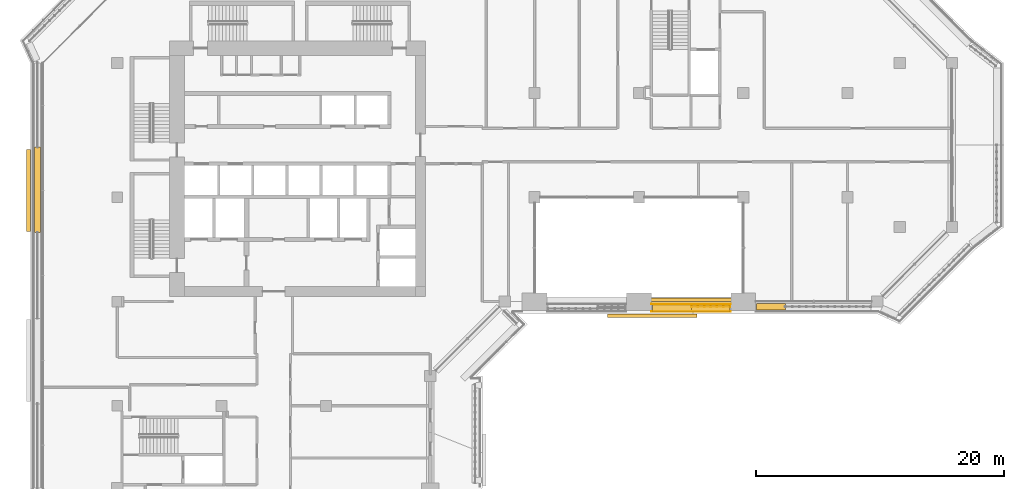
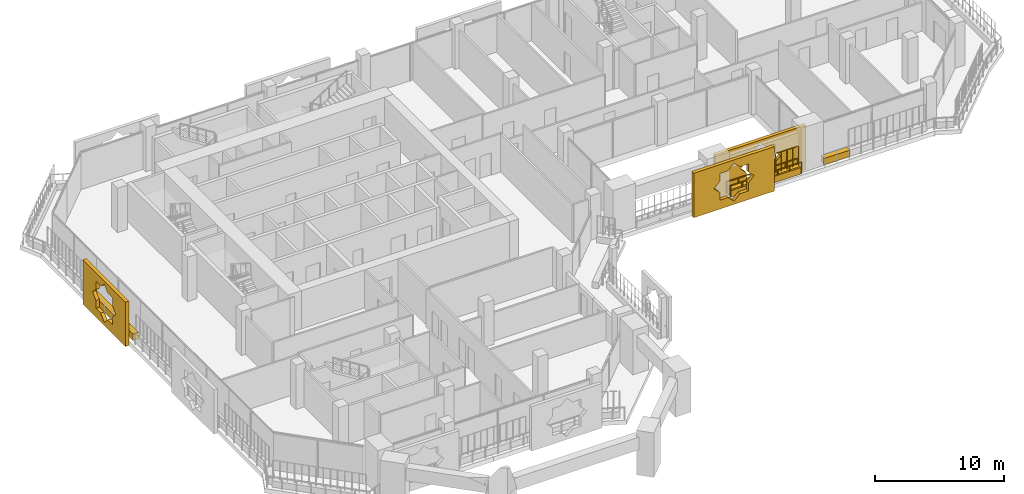
# One storey, part 20 of 23: 8 coverings, 3 railings.
"""IFC4 building model written with IfcOpenShell, lengths in metres."""

import ifcopenshell
import ifcopenshell.guid

model = None  # the IFC model being written
_history = None  # IfcOwnerHistory: only IFC2X3 demands one
_inside = {}  # id of a spatial element -> (the spatial element, [elements in it])
_under = {}  # id of a project, library or spatial element -> (it, [spatial elements below it])
_declared = {}  # id of a project -> (the project, [libraries it declares])
_typed = {}  # id of a type object -> (the type object, [elements of that type])
_made_of = {}  # id of a material, layer set ... -> (it, [elements and type objects made of it])


def new_model(schema):
    """Start an empty IFC model of exactly this schema.

    Asked for "IFC4X3", IfcOpenShell would pick the latest addendum, in which some entities
    have other attributes; the version numbers below select the first issue.
    IFC2X3 requires an IfcOwnerHistory on every rooted entity: one is made here for all.
    """
    global model, _history
    if schema == "IFC4X3":
        model = ifcopenshell.file(schema_version=(4, 3, 0, 0))
    else:
        model = ifcopenshell.file(schema=schema)
    _inside.clear()
    _under.clear()
    _declared.clear()
    _typed.clear()
    _made_of.clear()
    _history = None
    if model.schema == "IFC2X3":
        org = make("IfcOrganization", Name="unknown")
        user = make(
            "IfcPersonAndOrganization",
            ThePerson=make("IfcPerson", FamilyName="unknown"),
            TheOrganization=org,
        )
        app = make(
            "IfcApplication",
            ApplicationDeveloper=org,
            Version="unknown",
            ApplicationFullName="unknown",
            ApplicationIdentifier="unknown",
        )
        _history = make(
            "IfcOwnerHistory",
            OwningUser=user,
            OwningApplication=app,
            ChangeAction="ADDED",
            CreationDate=0,
        )
    return model


def make(cls, **values):
    """One entity of the class cls with the attributes given. An attribute that is None is left unset."""
    return model.create_entity(
        cls, **{name: value for name, value in values.items() if value is not None}
    )


def rooted(cls, **values):
    """An entity with a GlobalId (a new one), such as an element, a storey or a relation."""
    return make(cls, GlobalId=ifcopenshell.guid.new(), OwnerHistory=_history, **values)


def si_unit(unit_type, name, prefix=None):
    """IfcSIUnit, for example si_unit("LENGTHUNIT", "METRE", prefix="MILLI")."""
    return make("IfcSIUnit", UnitType=unit_type, Prefix=prefix, Name=name)


def assignment(units):
    """IfcUnitAssignment: the units of a project."""
    return None if units is None else make("IfcUnitAssignment", Units=units)


def point(xyz):
    """IfcCartesianPoint."""
    return None if xyz is None else make("IfcCartesianPoint", Coordinates=xyz)


def direction(xyz):
    """IfcDirection."""
    return None if xyz is None else make("IfcDirection", DirectionRatios=xyz)


def frame(location, z_axis=None, x_axis=None):
    """IfcAxis2Placement3D, a coordinate frame: its origin and axes. An axis left out is left unset."""
    return make(
        "IfcAxis2Placement3D",
        Location=point(location),
        Axis=direction(z_axis),
        RefDirection=direction(x_axis),
    )


def frame_2d(location, x_axis=None):
    """IfcAxis2Placement2D, a coordinate frame in the plane: its origin and x axis."""
    return make(
        "IfcAxis2Placement2D", Location=point(location), RefDirection=direction(x_axis)
    )


def origin():
    """The frame at (0, 0, 0) with its axes left unset."""
    return frame((0.0, 0.0, 0.0))


def origin_2d():
    """The frame at (0, 0) in the plane with its x axis left unset."""
    return frame_2d((0.0, 0.0))


def place(relative_to, where):
    """IfcLocalPlacement: puts the frame where relative to a parent placement (None: the world)."""
    return make(
        "IfcLocalPlacement", PlacementRelTo=relative_to, RelativePlacement=where
    )


def context(
    kind, dimensions, precision=None, world=None, true_north=None, identifier=None
):
    """IfcGeometricRepresentationContext, for example the 3D "Model" context."""
    return make(
        "IfcGeometricRepresentationContext",
        ContextIdentifier=identifier,
        ContextType=kind,
        CoordinateSpaceDimension=dimensions,
        Precision=precision,
        WorldCoordinateSystem=world,
        TrueNorth=true_north,
    )


def subcontext(parent, identifier, kind, view, scale=None):
    """IfcGeometricRepresentationSubContext, for example "Body" below "Model"."""
    return make(
        "IfcGeometricRepresentationSubContext",
        ContextIdentifier=identifier,
        ContextType=kind,
        ParentContext=parent,
        TargetScale=scale,
        TargetView=view,
    )


def project(units=None, contexts=None):
    """IfcProject with its units and contexts."""
    return rooted(
        "IfcProject",
        Name="project",
        RepresentationContexts=contexts,
        UnitsInContext=assignment(units),
    )


def spatial(cls, under=None, at=None, **own):
    """A site, building, storey or space (cls), placed at a placement, below another one or the project."""
    s = rooted(cls, ObjectPlacement=at, **own)
    if under is not None:
        _under.setdefault(under.id(), (under, []))[1].append(s)
    return s


def polyline(points):
    """IfcPolyline through the points."""
    return make("IfcPolyline", Points=[point(p) for p in points])


def profile(cls, at=None, kind="AREA", **sizes):
    """A parametric profile (cls). Its sizes go by their IFC names, for example OverallWidth=200.0."""
    return make(cls, ProfileType=kind, Position=at, **sizes)


def rectangle(**sizes):
    """IfcRectangleProfileDef."""
    return profile("IfcRectangleProfileDef", **sizes)


def circle(**sizes):
    """IfcCircleProfileDef."""
    return profile("IfcCircleProfileDef", **sizes)


def outline(outer, holes=None, kind="AREA"):
    """IfcArbitraryClosedProfileDef: a profile drawn as a closed curve; with holes, ...WithVoids."""
    if holes is None:
        return make("IfcArbitraryClosedProfileDef", ProfileType=kind, OuterCurve=outer)
    return make(
        "IfcArbitraryProfileDefWithVoids",
        ProfileType=kind,
        OuterCurve=outer,
        InnerCurves=holes,
    )


def extrude(swept, where, along, depth):
    """IfcExtrudedAreaSolid: the profile swept, set in the frame where, extruded along a direction by depth."""
    return make(
        "IfcExtrudedAreaSolid",
        SweptArea=swept,
        Position=where,
        ExtrudedDirection=direction(along),
        Depth=depth,
    )


def shape(context_of_items, identifier, shape_type, items):
    """IfcShapeRepresentation: the items that make up one representation, for example the "Body"."""
    return make(
        "IfcShapeRepresentation",
        ContextOfItems=context_of_items,
        RepresentationIdentifier=identifier,
        RepresentationType=shape_type,
        Items=items,
    )


def material(Name=None, Category=None):
    """IfcMaterial."""
    return make("IfcMaterial", Name=Name, Category=Category)


def material_profile(
    of_material, cross_section, Name=None, Category=None, Priority=None
):
    """IfcMaterialProfile: a cross section and its material."""
    return make(
        "IfcMaterialProfile",
        Name=Name,
        Material=of_material,
        Profile=cross_section,
        Priority=Priority,
        Category=Category,
    )


def profile_set(profiles, Name=None, composite=None):
    """IfcMaterialProfileSet."""
    return make(
        "IfcMaterialProfileSet",
        Name=Name,
        MaterialProfiles=profiles,
        CompositeProfile=composite,
    )


def made_of(thing, what):
    """Note that an element or type object is made of a material, layer set ...; save() writes the relation."""
    if what is not None:
        _made_of.setdefault(what.id(), (what, []))[1].append(thing)
    return thing


def type_object(cls, material=None, **own):
    """A type object (cls), such as IfcWallType, which elements share."""
    return made_of(rooted(cls, **own), material)


def element(
    cls,
    number,
    at=None,
    inside=None,
    cuts=None,
    type_object=None,
    material=None,
    context=None,
    identifier="Body",
    shape_type=None,
    held_by="IfcProductDefinitionShape",
    body=None,
    shapes=None,
    **own,
):
    """One element of the class cls, such as IfcWall. Its Tag is "e" and its number.

    at: its placement. inside: the storey or other place that contains it. cuts: it is an
    opening in that element (IfcRelVoidsElement). A single representation is given by context,
    identifier, shape_type and body (its items); several are given by shapes. held_by: the class
    of the entity that holds the representations. save() writes the other relations.
    """
    e = rooted(cls, Tag="e%d" % number, ObjectPlacement=at, **own)
    if body is not None:
        shapes = [shape(context, identifier, shape_type, body)]
    if shapes is not None:
        e.Representation = make(held_by, Representations=shapes)
    if inside is not None:
        _inside.setdefault(inside.id(), (inside, []))[1].append(e)
    if cuts is not None:
        rooted(
            "IfcRelVoidsElement", RelatingBuildingElement=cuts, RelatedOpeningElement=e
        )
    if type_object is not None:
        _typed.setdefault(type_object.id(), (type_object, []))[1].append(e)
    return made_of(e, material)


def aggregate(whole, parts):
    """IfcRelAggregates: a whole, such as a stair, and the parts it consists of."""
    return rooted("IfcRelAggregates", RelatingObject=whole, RelatedObjects=parts)


def save(model, path):
    """Write the relations noted so far, then the file.

    IfcRelAggregates (storeys below a building ...), IfcRelContainedInSpatialStructure (elements
    in a storey), IfcRelDefinesByType, IfcRelAssociatesMaterial and IfcRelDeclares: one each for
    every whole, place, type object, material and project.
    """
    for whole, parts in _under.values():
        aggregate(whole, parts)
    for where, things in _inside.values():
        rooted(
            "IfcRelContainedInSpatialStructure",
            RelatedElements=things,
            RelatingStructure=where,
        )
    for kind, things in _typed.values():
        rooted("IfcRelDefinesByType", RelatedObjects=things, RelatingType=kind)
    for what, things in _made_of.values():
        rooted("IfcRelAssociatesMaterial", RelatedObjects=things, RelatingMaterial=what)
    for by, libraries in _declared.values():
        rooted("IfcRelDeclares", RelatingContext=by, RelatedDefinitions=libraries)
    model.write(path)


model = new_model("IFC4")

# Units and contexts
model_context = context("Model", 3, precision=1e-05, world=origin(), true_north=direction((0.0, 1.0)))
body_context = subcontext(model_context, "Body", "Model", "MODEL_VIEW")
ifc_project = project(units=[si_unit("LENGTHUNIT", "METRE"), si_unit("AREAUNIT", "SQUARE_METRE"), si_unit("VOLUMEUNIT", "CUBIC_METRE"), si_unit("PLANEANGLEUNIT", "RADIAN"), si_unit("MASSUNIT", "GRAM", prefix="KILO")], contexts=[model_context])

# Site, building, storey
site_placement = place(None, origin())
site = spatial("IfcSite", under=ifc_project, at=site_placement, CompositionType="ELEMENT")
building_placement = place(site_placement, origin())
building = spatial("IfcBuilding", under=site, at=building_placement, Name="Kawkab Arch Medical Tower", CompositionType="ELEMENT")
storey_placement = place(building_placement, frame((0.0, 0.0, 226.39990234375)))
storey = spatial("IfcBuildingStorey", under=building, at=storey_placement, Name="L52", CompositionType="ELEMENT", Elevation=226.39990234375)

# Railings
ifc_material_1 = material(Name="Bronze anodised aluminium guard", Category="aluminium")
railing_type_1 = type_object("IfcRailingType", Name="Loggia and terrace guard 1100", PredefinedType="GUARDRAIL", material=ifc_material_1)
railing_1_placement = place(storey_placement, frame((43.030029296875, -25.39990234375, 0.0)))
element("IfcRailing", 1, at=railing_1_placement, inside=storey, type_object=railing_type_1, Name="Guard L52.LOG-01.1.2", PredefinedType="GUARDRAIL", context=body_context, shape_type="SweptSolid", body=[
    extrude(circle(Radius=0.02392578125, at=origin_2d()), frame((0.0, 0.0, 1.076171875), z_axis=(1.0, 0.0, 0.0), x_axis=(0.0, 1.0, 0.0)), (0.0, 0.0, 1.0), 6.340087890625),
    extrude(circle(Radius=0.02099609375, at=origin_2d()), origin(), (0.0, 0.0, 1.0), 1.052001953125),
    extrude(circle(Radius=0.02099609375, at=origin_2d()), frame((1.056640625, 0.0, 0.0)), (0.0, 0.0, 1.0), 1.052001953125),
    extrude(circle(Radius=0.02099609375, at=origin_2d()), frame((2.11328125, 0.0, 0.0)), (0.0, 0.0, 1.0), 1.052001953125),
    extrude(circle(Radius=0.02099609375, at=origin_2d()), frame((3.169921875, 0.0, 0.0)), (0.0, 0.0, 1.0), 1.052001953125),
    extrude(circle(Radius=0.02099609375, at=origin_2d()), frame((4.226806640625, 0.0, 0.0)), (0.0, 0.0, 1.0), 1.052001953125),
    extrude(circle(Radius=0.02099609375, at=origin_2d()), frame((5.283447265625, 0.0, 0.0)), (0.0, 0.0, 1.0), 1.052001953125),
    extrude(circle(Radius=0.02099609375, at=origin_2d()), frame((6.340087890625, 0.0, 0.0)), (0.0, 0.0, 1.0), 1.052001953125),
])
railing_2_placement = place(storey_placement, frame((49.3701171875, -26.0, 0.0)))
element("IfcRailing", 2, at=railing_2_placement, inside=storey, type_object=railing_type_1, Name="Guard L52.LOG-01.2.3", PredefinedType="GUARDRAIL", context=body_context, shape_type="SweptSolid", body=[
    extrude(circle(Radius=0.02392578125, at=origin_2d()), frame((0.0, 0.0, 1.076171875), z_axis=(-1.0, 0.0, 0.0), x_axis=(0.0, -1.0, 0.0)), (0.0, 0.0, 1.0), 6.340087890625),
    extrude(circle(Radius=0.02099609375, at=origin_2d()), origin(), (0.0, 0.0, 1.0), 1.052001953125),
    extrude(circle(Radius=0.02099609375, at=origin_2d()), frame((-1.056640625, 0.0, 0.0)), (0.0, 0.0, 1.0), 1.052001953125),
    extrude(circle(Radius=0.02099609375, at=origin_2d()), frame((-2.11328125, 0.0, 0.0)), (0.0, 0.0, 1.0), 1.052001953125),
    extrude(circle(Radius=0.02099609375, at=origin_2d()), frame((-3.169921875, 0.0, 0.0)), (0.0, 0.0, 1.0), 1.052001953125),
    extrude(circle(Radius=0.02099609375, at=origin_2d()), frame((-4.226806640625, 0.0, 0.0)), (0.0, 0.0, 1.0), 1.052001953125),
    extrude(circle(Radius=0.02099609375, at=origin_2d()), frame((-5.283447265625, 0.0, 0.0)), (0.0, 0.0, 1.0), 1.052001953125),
    extrude(circle(Radius=0.02099609375, at=origin_2d()), frame((-6.340087890625, 0.0, 0.0)), (0.0, 0.0, 1.0), 1.052001953125),
])

# Coverings
ifc_material_2 = material(Name="Bronze anodised aluminium mashrabiya panel, eight-point star pattern", Category="aluminium")
ifc_material_profile_1 = material_profile(ifc_material_2, outline(polyline([(-3.300048828125, -2.10009765625), (3.300048828125, -2.10009765625), (3.300048828125, 2.10009765625), (-3.300048828125, 2.10009765625), (-3.300048828125, -2.10009765625)]), holes=[polyline([(1.800048828125, 0.0), (1.272705078125, 0.527099609375), (1.272705078125, 1.272705078125), (0.527099609375, 1.272705078125), (0.0, 1.800048828125), (-0.527099609375, 1.272705078125), (-1.272705078125, 1.272705078125), (-1.272705078125, 0.527099609375), (-1.800048828125, 0.0), (-1.272705078125, -0.527099609375), (-1.272705078125, -1.272705078125), (-0.527099609375, -1.272705078125), (0.0, -1.800048828125), (0.527099609375, -1.272705078125), (1.272705078125, -1.272705078125), (1.272705078125, -0.527099609375), (1.800048828125, 0.0)])]), Name="Mashrabiya panel 6600x4200")
ifc_profile_set_1 = profile_set([ifc_material_profile_1], Name="Bronze anodised aluminium mashrabiya panel, eight-point star pattern")
covering_type_1 = type_object("IfcCoveringType", Name="Mashrabiya panel 6600 x 4200", PredefinedType="USERDEFINED", material=ifc_profile_set_1)
covering_1_placement = place(storey_placement, frame((-7.0, -16.259033203125, 1.7001953125), z_axis=(-1.0, 0.0, 0.0), x_axis=(0.0, -1.0, 0.0)))
element("IfcCovering", 3, at=covering_1_placement, inside=storey, type_object=covering_type_1, Name="Mashrabiya panel L52.LOG-01-02.4", ObjectType="SCREEN", PredefinedType="USERDEFINED", context=body_context, shape_type="SweptSolid", body=[
    extrude(outline(polyline([(-3.300048828125, -2.10009765625), (3.300048828125, -2.10009765625), (3.300048828125, 2.10009765625), (-3.300048828125, 2.10009765625), (-3.300048828125, -2.10009765625)]), holes=[polyline([(1.800048828125, 0.0), (1.272705078125, 0.527099609375), (1.272705078125, 1.272705078125), (0.527099609375, 1.272705078125), (0.0, 1.800048828125), (-0.527099609375, 1.272705078125), (-1.272705078125, 1.272705078125), (-1.272705078125, 0.527099609375), (-1.800048828125, 0.0), (-1.272705078125, -0.527099609375), (-1.272705078125, -1.272705078125), (-0.527099609375, -1.272705078125), (0.0, -1.800048828125), (0.527099609375, -1.272705078125), (1.272705078125, -1.272705078125), (1.272705078125, -0.527099609375), (1.800048828125, 0.0)])]), origin(), (0.0, 0.0, 1.0), 0.300048828125),
])
ifc_material_3 = material(Name="Bronze anodised aluminium mashrabiya panel, eight-point star pattern", Category="aluminium")
ifc_material_profile_2 = material_profile(ifc_material_3, outline(polyline([(-3.60009765625, -2.10009765625), (3.60009765625, -2.10009765625), (3.60009765625, 2.10009765625), (-3.60009765625, 2.10009765625), (-3.60009765625, -2.10009765625)]), holes=[polyline([(1.800048828125, 0.0), (1.272705078125, 0.527099609375), (1.272705078125, 1.272705078125), (0.527099609375, 1.272705078125), (0.0, 1.800048828125), (-0.527099609375, 1.272705078125), (-1.272705078125, 1.272705078125), (-1.272705078125, 0.527099609375), (-1.800048828125, 0.0), (-1.272705078125, -0.527099609375), (-1.272705078125, -1.272705078125), (-0.527099609375, -1.272705078125), (0.0, -1.800048828125), (0.527099609375, -1.272705078125), (1.272705078125, -1.272705078125), (1.272705078125, -0.527099609375), (1.800048828125, 0.0)])]), Name="Mashrabiya panel 7200x4200")
ifc_profile_set_2 = profile_set([ifc_material_profile_2], Name="Bronze anodised aluminium mashrabiya panel, eight-point star pattern")
covering_type_2 = type_object("IfcCoveringType", Name="Mashrabiya panel 7200 x 4200", PredefinedType="USERDEFINED", material=ifc_profile_set_2)
covering_2_placement = place(storey_placement, frame((43.06494140625, -26.199951171875, 1.7001953125), z_axis=(0.0, -1.0, 0.0), x_axis=(1.0, 0.0, 0.0)))
element("IfcCovering", 4, at=covering_2_placement, inside=storey, type_object=covering_type_2, Name="Mashrabiya panel L52.LOG-01-02.9", ObjectType="SCREEN", PredefinedType="USERDEFINED", context=body_context, shape_type="SweptSolid", body=[
    extrude(outline(polyline([(-3.60009765625, -2.10009765625), (3.60009765625, -2.10009765625), (3.60009765625, 2.10009765625), (-3.60009765625, 2.10009765625), (-3.60009765625, -2.10009765625)]), holes=[polyline([(1.800048828125, 0.0), (1.272705078125, 0.527099609375), (1.272705078125, 1.272705078125), (0.527099609375, 1.272705078125), (0.0, 1.800048828125), (-0.527099609375, 1.272705078125), (-1.272705078125, 1.272705078125), (-1.272705078125, 0.527099609375), (-1.800048828125, 0.0), (-1.272705078125, -0.527099609375), (-1.272705078125, -1.272705078125), (-0.527099609375, -1.272705078125), (0.0, -1.800048828125), (0.527099609375, -1.272705078125), (1.272705078125, -1.272705078125), (1.272705078125, -0.527099609375), (1.800048828125, 0.0)])]), origin(), (0.0, 0.0, 1.0), 0.300048828125),
])
ifc_material_4 = material(Name="Bronze anodised aluminium mashrabiya panel, eight-point star pattern", Category="aluminium")
ifc_material_profile_3 = material_profile(ifc_material_4, outline(polyline([(-4.050048828125, -2.10009765625), (4.050048828125, -2.10009765625), (4.050048828125, 2.10009765625), (-4.050048828125, 2.10009765625), (-4.050048828125, -2.10009765625)]), holes=[polyline([(1.800048828125, 0.0), (1.272705078125, 0.527099609375), (1.272705078125, 1.272705078125), (0.527099609375, 1.272705078125), (0.0, 1.800048828125), (-0.527099609375, 1.272705078125), (-1.272705078125, 1.272705078125), (-1.272705078125, 0.527099609375), (-1.800048828125, 0.0), (-1.272705078125, -0.527099609375), (-1.272705078125, -1.272705078125), (-0.527099609375, -1.272705078125), (0.0, -1.800048828125), (0.527099609375, -1.272705078125), (1.272705078125, -1.272705078125), (1.272705078125, -0.527099609375), (1.800048828125, 0.0)])]), Name="Mashrabiya panel 8100x4200")
ifc_profile_set_3 = profile_set([ifc_material_profile_3], Name="Bronze anodised aluminium mashrabiya panel, eight-point star pattern")
covering_type_3 = type_object("IfcCoveringType", Name="Mashrabiya panel 8100 x 4200", PredefinedType="USERDEFINED", material=ifc_profile_set_3)
covering_3_placement = place(storey_placement, frame((46.18505859375, -25.199951171875, 1.7001953125), z_axis=(0.0, 1.0, 0.0), x_axis=(-1.0, 0.0, 0.0)))
element("IfcCovering", 5, at=covering_3_placement, inside=storey, type_object=covering_type_3, Name="Mashrabiya panel L52.LOG-01-01.1", ObjectType="SCREEN", PredefinedType="USERDEFINED", context=body_context, shape_type="SweptSolid", body=[
    extrude(outline(polyline([(-4.050048828125, -2.10009765625), (4.050048828125, -2.10009765625), (4.050048828125, 2.10009765625), (-4.050048828125, 2.10009765625), (-4.050048828125, -2.10009765625)]), holes=[polyline([(1.800048828125, 0.0), (1.272705078125, 0.527099609375), (1.272705078125, 1.272705078125), (0.527099609375, 1.272705078125), (0.0, 1.800048828125), (-0.527099609375, 1.272705078125), (-1.272705078125, 1.272705078125), (-1.272705078125, 0.527099609375), (-1.800048828125, 0.0), (-1.272705078125, -0.527099609375), (-1.272705078125, -1.272705078125), (-0.527099609375, -1.272705078125), (0.0, -1.800048828125), (0.527099609375, -1.272705078125), (1.272705078125, -1.272705078125), (1.272705078125, -0.527099609375), (1.800048828125, 0.0)])]), origin(), (0.0, 0.0, 1.0), 0.300048828125),
])
ifc_material_5 = material(Name="Planting soil in a precast trough", Category="concrete")
ifc_material_profile_4 = material_profile(ifc_material_5, rectangle(XDim=0.5, YDim=0.60009765625, at=origin_2d()), Name="Trough 500x600")
ifc_profile_set_4 = profile_set([ifc_material_profile_4], Name="Planting soil in a precast trough")
covering_type_4 = type_object("IfcCoveringType", Name="Planter trough 500 x 600", PredefinedType="USERDEFINED", material=ifc_profile_set_4)
covering_4_placement = place(storey_placement, frame((43.080078125, -25.780029296875, 0.300048828125), z_axis=(1.0, 0.0, 0.0), x_axis=(0.0, 1.0, 0.0)))
element("IfcCovering", 6, at=covering_4_placement, inside=storey, type_object=covering_type_4, Name="Planter L52.LOG-01-01.2", ObjectType="PLANTER", PredefinedType="USERDEFINED", context=body_context, shape_type="SweptSolid", body=[
    extrude(rectangle(XDim=0.5, YDim=0.60009765625, at=origin_2d()), origin(), (0.0, 0.0, 1.0), 6.239990234375),
])
covering_5_placement = place(storey_placement, frame((-6.419921875, -19.655029296875, 0.300048828125), z_axis=(0.0, 1.0, 0.0), x_axis=(-1.0, 0.0, 0.0)))
element("IfcCovering", 7, at=covering_5_placement, inside=storey, type_object=covering_type_4, Name="Planter L52.LOG-01-02.10", ObjectType="PLANTER", PredefinedType="USERDEFINED", context=body_context, shape_type="SweptSolid", body=[
    extrude(rectangle(XDim=0.5, YDim=0.60009765625, at=origin_2d()), origin(), (0.0, 0.0, 1.0), 6.89111328125),
])
covering_6_placement = place(storey_placement, frame((53.791015625, -25.6201171875, 0.300048828125), z_axis=(-1.0, 0.0, 0.0), x_axis=(0.0, -1.0, 0.0)))
element("IfcCovering", 8, at=covering_6_placement, inside=storey, type_object=covering_type_4, Name="Planter L52.LOG-01-02.38", ObjectType="PLANTER", PredefinedType="USERDEFINED", context=body_context, shape_type="SweptSolid", body=[
    extrude(rectangle(XDim=0.5, YDim=0.60009765625, at=origin_2d()), origin(), (0.0, 0.0, 1.0), 2.31103515625),
])
covering_7_placement = place(storey_placement, frame((49.320068359375, -25.6201171875, 0.300048828125), z_axis=(-1.0, 0.0, 0.0), x_axis=(0.0, -1.0, 0.0)))
element("IfcCovering", 9, at=covering_7_placement, inside=storey, type_object=covering_type_4, Name="Planter L52.LOG-01-02.39", ObjectType="PLANTER", PredefinedType="USERDEFINED", context=body_context, shape_type="SweptSolid", body=[
    extrude(rectangle(XDim=0.5, YDim=0.60009765625, at=origin_2d()), origin(), (0.0, 0.0, 1.0), 3.065185546875),
])
covering_8_placement = place(storey_placement, frame((46.2548828125, -25.6201171875, 0.300048828125), z_axis=(-1.0, 0.0, 0.0), x_axis=(0.0, -1.0, 0.0)))
element("IfcCovering", 10, at=covering_8_placement, inside=storey, type_object=covering_type_4, Name="Planter L52.LOG-01-02.40", ObjectType="PLANTER", PredefinedType="USERDEFINED", context=body_context, shape_type="SweptSolid", body=[
    extrude(rectangle(XDim=0.5, YDim=0.60009765625, at=origin_2d()), origin(), (0.0, 0.0, 1.0), 3.1748046875),
])

# Railing
ifc_material_6 = material(Name="Bronze anodised aluminium trellis for climbing plants", Category="aluminium")
railing_type_2 = type_object("IfcRailingType", Name="Planting trellis 2400", PredefinedType="USERDEFINED", material=ifc_material_6)
railing_3_placement = place(storey_placement, frame((49.320068359375, -25.6201171875, 0.0)))
element("IfcRailing", 11, at=railing_3_placement, inside=storey, type_object=railing_type_2, Name="Planting trellis L52.LOG-01-02.39", ObjectType="TRELLIS", PredefinedType="USERDEFINED", context=body_context, shape_type="SweptSolid", body=[
    extrude(circle(Radius=0.01513671875, at=origin_2d()), frame((0.0, 0.0, 2.384765625), z_axis=(-1.0, 0.0, 0.0), x_axis=(0.0, -1.0, 0.0)), (0.0, 0.0, 1.0), 3.065185546875),
    extrude(circle(Radius=0.030029296875, at=origin_2d()), origin(), (0.0, 0.0, 1.0), 2.369873046875),
    extrude(circle(Radius=0.030029296875, at=origin_2d()), frame((-0.5107421875, 0.0, 0.0)), (0.0, 0.0, 1.0), 2.369873046875),
    extrude(circle(Radius=0.030029296875, at=origin_2d()), frame((-1.021728515625, 0.0, 0.0)), (0.0, 0.0, 1.0), 2.369873046875),
    extrude(circle(Radius=0.030029296875, at=origin_2d()), frame((-1.53271484375, 0.0, 0.0)), (0.0, 0.0, 1.0), 2.369873046875),
    extrude(circle(Radius=0.030029296875, at=origin_2d()), frame((-2.04345703125, 0.0, 0.0)), (0.0, 0.0, 1.0), 2.369873046875),
    extrude(circle(Radius=0.030029296875, at=origin_2d()), frame((-2.55419921875, 0.0, 0.0)), (0.0, 0.0, 1.0), 2.369873046875),
    extrude(circle(Radius=0.030029296875, at=origin_2d()), frame((-3.065185546875, 0.0, 0.0)), (0.0, 0.0, 1.0), 2.369873046875),
])

save(model, "model.ifc")
